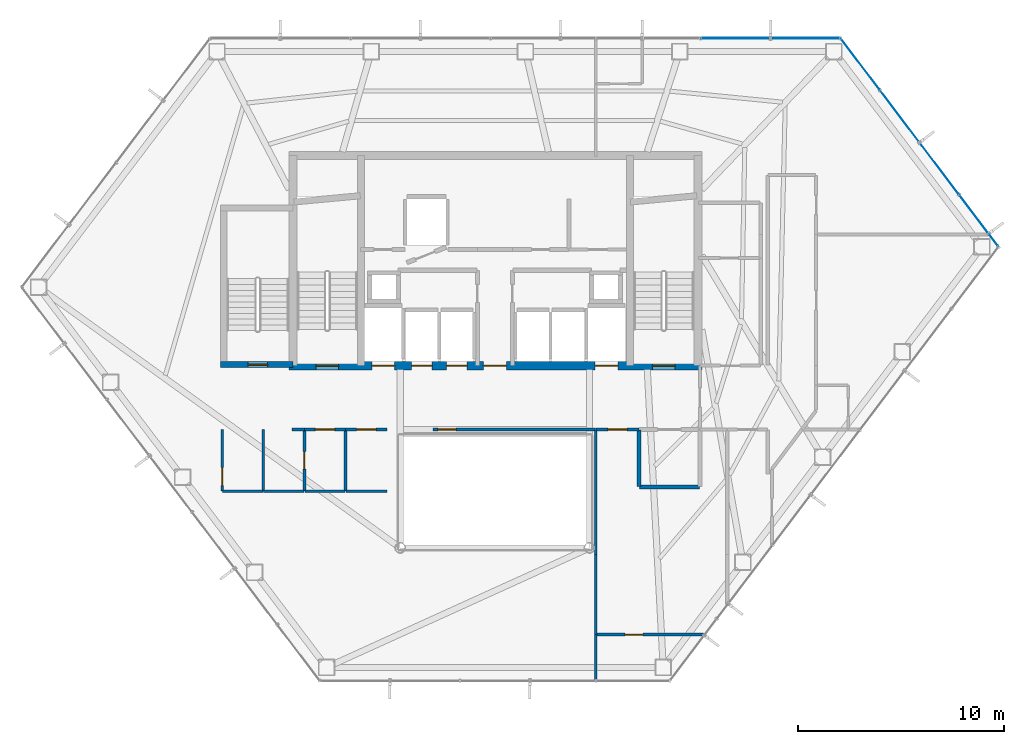
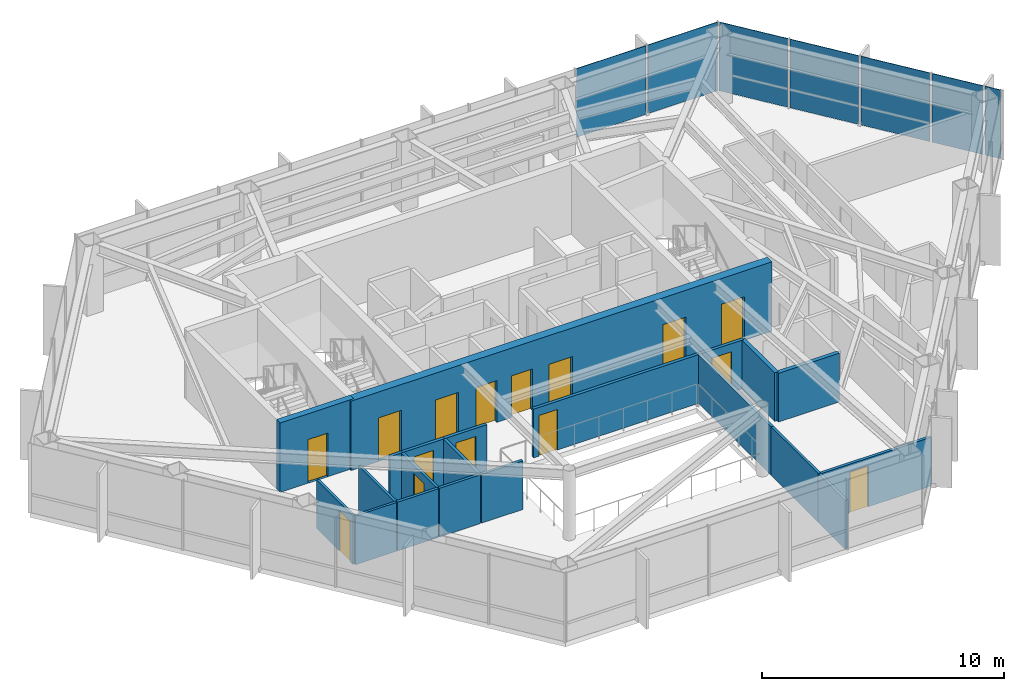
# One storey, part 25 of 29: 21 walls, 15 doors, 7 plates, 15 openings, 2 elements without a shape of their own.
"""IFC4 building model written with IfcOpenShell, lengths in metres."""

import ifcopenshell
import ifcopenshell.guid

model = None  # the IFC model being written
_history = None  # IfcOwnerHistory: only IFC2X3 demands one
_inside = {}  # id of a spatial element -> (the spatial element, [elements in it])
_under = {}  # id of a project, library or spatial element -> (it, [spatial elements below it])
_declared = {}  # id of a project -> (the project, [libraries it declares])
_typed = {}  # id of a type object -> (the type object, [elements of that type])
_made_of = {}  # id of a material, layer set ... -> (it, [elements and type objects made of it])


def new_model(schema):
    """Start an empty IFC model of exactly this schema.

    Asked for "IFC4X3", IfcOpenShell would pick the latest addendum, in which some entities
    have other attributes; the version numbers below select the first issue.
    IFC2X3 requires an IfcOwnerHistory on every rooted entity: one is made here for all.
    """
    global model, _history
    if schema == "IFC4X3":
        model = ifcopenshell.file(schema_version=(4, 3, 0, 0))
    else:
        model = ifcopenshell.file(schema=schema)
    _inside.clear()
    _under.clear()
    _declared.clear()
    _typed.clear()
    _made_of.clear()
    _history = None
    if model.schema == "IFC2X3":
        org = make("IfcOrganization", Name="unknown")
        user = make(
            "IfcPersonAndOrganization",
            ThePerson=make("IfcPerson", FamilyName="unknown"),
            TheOrganization=org,
        )
        app = make(
            "IfcApplication",
            ApplicationDeveloper=org,
            Version="unknown",
            ApplicationFullName="unknown",
            ApplicationIdentifier="unknown",
        )
        _history = make(
            "IfcOwnerHistory",
            OwningUser=user,
            OwningApplication=app,
            ChangeAction="ADDED",
            CreationDate=0,
        )
    return model


def make(cls, **values):
    """One entity of the class cls with the attributes given. An attribute that is None is left unset."""
    return model.create_entity(
        cls, **{name: value for name, value in values.items() if value is not None}
    )


def rooted(cls, **values):
    """An entity with a GlobalId (a new one), such as an element, a storey or a relation."""
    return make(cls, GlobalId=ifcopenshell.guid.new(), OwnerHistory=_history, **values)


def si_unit(unit_type, name, prefix=None):
    """IfcSIUnit, for example si_unit("LENGTHUNIT", "METRE", prefix="MILLI")."""
    return make("IfcSIUnit", UnitType=unit_type, Prefix=prefix, Name=name)


def assignment(units):
    """IfcUnitAssignment: the units of a project."""
    return None if units is None else make("IfcUnitAssignment", Units=units)


def point(xyz):
    """IfcCartesianPoint."""
    return None if xyz is None else make("IfcCartesianPoint", Coordinates=xyz)


def direction(xyz):
    """IfcDirection."""
    return None if xyz is None else make("IfcDirection", DirectionRatios=xyz)


def frame(location, z_axis=None, x_axis=None):
    """IfcAxis2Placement3D, a coordinate frame: its origin and axes. An axis left out is left unset."""
    return make(
        "IfcAxis2Placement3D",
        Location=point(location),
        Axis=direction(z_axis),
        RefDirection=direction(x_axis),
    )


def frame_2d(location, x_axis=None):
    """IfcAxis2Placement2D, a coordinate frame in the plane: its origin and x axis."""
    return make(
        "IfcAxis2Placement2D", Location=point(location), RefDirection=direction(x_axis)
    )


def origin():
    """The frame at (0, 0, 0) with its axes left unset."""
    return frame((0.0, 0.0, 0.0))


def origin_2d():
    """The frame at (0, 0) in the plane with its x axis left unset."""
    return frame_2d((0.0, 0.0))


def place(relative_to, where):
    """IfcLocalPlacement: puts the frame where relative to a parent placement (None: the world)."""
    return make(
        "IfcLocalPlacement", PlacementRelTo=relative_to, RelativePlacement=where
    )


def context(
    kind, dimensions, precision=None, world=None, true_north=None, identifier=None
):
    """IfcGeometricRepresentationContext, for example the 3D "Model" context."""
    return make(
        "IfcGeometricRepresentationContext",
        ContextIdentifier=identifier,
        ContextType=kind,
        CoordinateSpaceDimension=dimensions,
        Precision=precision,
        WorldCoordinateSystem=world,
        TrueNorth=true_north,
    )


def subcontext(parent, identifier, kind, view, scale=None):
    """IfcGeometricRepresentationSubContext, for example "Body" below "Model"."""
    return make(
        "IfcGeometricRepresentationSubContext",
        ContextIdentifier=identifier,
        ContextType=kind,
        ParentContext=parent,
        TargetScale=scale,
        TargetView=view,
    )


def project(units=None, contexts=None):
    """IfcProject with its units and contexts."""
    return rooted(
        "IfcProject",
        Name="project",
        RepresentationContexts=contexts,
        UnitsInContext=assignment(units),
    )


def spatial(cls, under=None, at=None, **own):
    """A site, building, storey or space (cls), placed at a placement, below another one or the project."""
    s = rooted(cls, ObjectPlacement=at, **own)
    if under is not None:
        _under.setdefault(under.id(), (under, []))[1].append(s)
    return s


def profile(cls, at=None, kind="AREA", **sizes):
    """A parametric profile (cls). Its sizes go by their IFC names, for example OverallWidth=200.0."""
    return make(cls, ProfileType=kind, Position=at, **sizes)


def rectangle(**sizes):
    """IfcRectangleProfileDef."""
    return profile("IfcRectangleProfileDef", **sizes)


def extrude(swept, where, along, depth):
    """IfcExtrudedAreaSolid: the profile swept, set in the frame where, extruded along a direction by depth."""
    return make(
        "IfcExtrudedAreaSolid",
        SweptArea=swept,
        Position=where,
        ExtrudedDirection=direction(along),
        Depth=depth,
    )


def shape(context_of_items, identifier, shape_type, items):
    """IfcShapeRepresentation: the items that make up one representation, for example the "Body"."""
    return make(
        "IfcShapeRepresentation",
        ContextOfItems=context_of_items,
        RepresentationIdentifier=identifier,
        RepresentationType=shape_type,
        Items=items,
    )


def material(Name=None, Category=None):
    """IfcMaterial."""
    return make("IfcMaterial", Name=Name, Category=Category)


def layer(
    of_material, thickness, ventilated=None, Name=None, Category=None, Priority=None
):
    """IfcMaterialLayer: one layer of a wall or slab, of a material (None: an air gap)."""
    return make(
        "IfcMaterialLayer",
        Material=of_material,
        LayerThickness=thickness,
        IsVentilated=ventilated,
        Name=Name,
        Category=Category,
        Priority=Priority,
    )


def layer_set(layers, Name=None):
    """IfcMaterialLayerSet."""
    return make("IfcMaterialLayerSet", MaterialLayers=layers, LayerSetName=Name)


def made_of(thing, what):
    """Note that an element or type object is made of a material, layer set ...; save() writes the relation."""
    if what is not None:
        _made_of.setdefault(what.id(), (what, []))[1].append(thing)
    return thing


def type_object(cls, material=None, **own):
    """A type object (cls), such as IfcWallType, which elements share."""
    return made_of(rooted(cls, **own), material)


def element(
    cls,
    number,
    at=None,
    inside=None,
    cuts=None,
    type_object=None,
    material=None,
    context=None,
    identifier="Body",
    shape_type=None,
    held_by="IfcProductDefinitionShape",
    body=None,
    shapes=None,
    **own,
):
    """One element of the class cls, such as IfcWall. Its Tag is "e" and its number.

    at: its placement. inside: the storey or other place that contains it. cuts: it is an
    opening in that element (IfcRelVoidsElement). A single representation is given by context,
    identifier, shape_type and body (its items); several are given by shapes. held_by: the class
    of the entity that holds the representations. save() writes the other relations.
    """
    e = rooted(cls, Tag="e%d" % number, ObjectPlacement=at, **own)
    if body is not None:
        shapes = [shape(context, identifier, shape_type, body)]
    if shapes is not None:
        e.Representation = make(held_by, Representations=shapes)
    if inside is not None:
        _inside.setdefault(inside.id(), (inside, []))[1].append(e)
    if cuts is not None:
        rooted(
            "IfcRelVoidsElement", RelatingBuildingElement=cuts, RelatedOpeningElement=e
        )
    if type_object is not None:
        _typed.setdefault(type_object.id(), (type_object, []))[1].append(e)
    return made_of(e, material)


def fill(opening, filler):
    """IfcRelFillsElement: the door or window that sits in an opening."""
    return rooted(
        "IfcRelFillsElement",
        RelatingOpeningElement=opening,
        RelatedBuildingElement=filler,
    )


def aggregate(whole, parts):
    """IfcRelAggregates: a whole, such as a stair, and the parts it consists of."""
    return rooted("IfcRelAggregates", RelatingObject=whole, RelatedObjects=parts)


def save(model, path):
    """Write the relations noted so far, then the file.

    IfcRelAggregates (storeys below a building ...), IfcRelContainedInSpatialStructure (elements
    in a storey), IfcRelDefinesByType, IfcRelAssociatesMaterial and IfcRelDeclares: one each for
    every whole, place, type object, material and project.
    """
    for whole, parts in _under.values():
        aggregate(whole, parts)
    for where, things in _inside.values():
        rooted(
            "IfcRelContainedInSpatialStructure",
            RelatedElements=things,
            RelatingStructure=where,
        )
    for kind, things in _typed.values():
        rooted("IfcRelDefinesByType", RelatedObjects=things, RelatingType=kind)
    for what, things in _made_of.values():
        rooted("IfcRelAssociatesMaterial", RelatedObjects=things, RelatingMaterial=what)
    for by, libraries in _declared.values():
        rooted("IfcRelDeclares", RelatingContext=by, RelatedDefinitions=libraries)
    model.write(path)


model = new_model("IFC4")

# Units and contexts
model_context = context("Model", 3, precision=1e-05, world=origin(), true_north=direction((0.0, 1.0)))
body_context = subcontext(model_context, "Body", "Model", "MODEL_VIEW")
ifc_project = project(units=[si_unit("LENGTHUNIT", "METRE"), si_unit("AREAUNIT", "SQUARE_METRE"), si_unit("VOLUMEUNIT", "CUBIC_METRE"), si_unit("PLANEANGLEUNIT", "RADIAN"), si_unit("MASSUNIT", "GRAM", prefix="KILO")], contexts=[model_context])

# Site, building, storey
site_placement = place(None, origin())
site = spatial("IfcSite", under=ifc_project, at=site_placement, CompositionType="ELEMENT")
building_placement = place(site_placement, origin())
building = spatial("IfcBuilding", under=site, at=building_placement, Name="Zarrinselat Tower", CompositionType="ELEMENT")
storey_placement = place(building_placement, frame((0.0, 0.0, 138.3798828125)))
storey = spatial("IfcBuildingStorey", under=building, at=storey_placement, Name="L33", CompositionType="ELEMENT", Elevation=138.3798828125)

# Curtain wall, plates
ifc_material_1 = material(Name="Extruded Aluminium Alloy EN AW-6063 T6", Category="aluminium")
ifc_layer_1 = layer(ifc_material_1, 0.175048828125)
ifc_layer_set_1 = layer_set([ifc_layer_1], Name="Extruded Aluminium Alloy EN AW-6063 T6")
curtain_wall_type = type_object("IfcCurtainWallType", Name="CWS-HTL", PredefinedType="NOTDEFINED", material=ifc_layer_set_1)
curtain_wall_1_placement = place(storey_placement, origin())
curtain_wall_1 = element("IfcCurtainWall", 1, at=curtain_wall_1_placement, inside=storey, type_object=curtain_wall_type, Name="L33 Unitised Curtain Wall CW-L33-E01", PredefinedType="NOTDEFINED")
ifc_material_2 = material(Name="Double Low-E Laminated Solar Glass", Category="glass")
ifc_layer_2 = layer(ifc_material_2, 0.028076171875)
ifc_layer_set_2 = layer_set([ifc_layer_2], Name="Double Low-E Laminated Solar Glass")
plate_type = type_object("IfcPlateType", Name="PLT-CW-GL28", PredefinedType="CURTAIN_PANEL", material=ifc_layer_set_2)
plate_1_placement = place(storey_placement, frame((53.487548828125, 49.14990234375, 0.02001953125), z_axis=(0.0, 0.0, 1.0), x_axis=(-1.0, 0.0, 0.0)))
plate_1 = element("IfcPlate", 2, at=plate_1_placement, type_object=plate_type, Name="CW-L33-E01 Vision Glass Panel 1", PredefinedType="CURTAIN_PANEL", context=body_context, shape_type="SweptSolid", body=[
    extrude(rectangle(XDim=3.30078125, YDim=0.028076171875, at=origin_2d()), origin(), (0.0, 0.0, 1.0), 3.4599609375),
])
plate_2_placement = place(storey_placement, frame((50.0869140625, 49.14990234375, 0.02001953125), z_axis=(0.0, 0.0, 1.0), x_axis=(-1.0, 0.0, 0.0)))
plate_2 = element("IfcPlate", 3, at=plate_2_placement, type_object=plate_type, Name="CW-L33-E01 Vision Glass Panel 2", PredefinedType="CURTAIN_PANEL", context=body_context, shape_type="SweptSolid", body=[
    extrude(rectangle(XDim=3.30078125, YDim=0.028076171875, at=origin_2d()), origin(), (0.0, 0.0, 1.0), 3.4599609375),
])
aggregate(curtain_wall_1, [plate_1, plate_2])

curtain_wall_2_placement = place(storey_placement, origin())
curtain_wall_2 = element("IfcCurtainWall", 4, at=curtain_wall_2_placement, inside=storey, type_object=curtain_wall_type, Name="L33 Unitised Curtain Wall CW-L33-E06", PredefinedType="NOTDEFINED")
plate_3_placement = place(storey_placement, frame((62.62109375, 39.338134765625, 0.02001953125), z_axis=(0.0, 0.0, 1.0), x_axis=(-0.60385935447, 0.79709088567, 0.0)))
plate_3 = element("IfcPlate", 5, at=plate_3_placement, type_object=plate_type, Name="CW-L33-E06 Vision Glass Panel 1", PredefinedType="CURTAIN_PANEL", context=body_context, shape_type="SweptSolid", body=[
    extrude(rectangle(XDim=0.697998046875, YDim=0.028076171875, at=origin_2d()), origin(), (0.0, 0.0, 1.0), 3.4599609375),
])
plate_4_placement = place(storey_placement, frame((61.662109375, 40.6044921875, 0.02001953125), z_axis=(0.0, 0.0, 1.0), x_axis=(-0.60385935447, 0.79709088567, 0.0)))
plate_4 = element("IfcPlate", 6, at=plate_4_placement, type_object=plate_type, Name="CW-L33-E06 Vision Glass Panel 2", PredefinedType="CURTAIN_PANEL", context=body_context, shape_type="SweptSolid", body=[
    extrude(rectangle(XDim=2.279052734375, YDim=0.028076171875, at=origin_2d()), origin(), (0.0, 0.0, 1.0), 3.4599609375),
])
plate_5_placement = place(storey_placement, frame((59.984375, 42.81884765625, 0.02001953125), z_axis=(0.0, 0.0, 1.0), x_axis=(-0.60385935447, 0.79709088567, 0.0)))
plate_5 = element("IfcPlate", 7, at=plate_5_placement, type_object=plate_type, Name="CW-L33-E06 Vision Glass Panel 3", PredefinedType="CURTAIN_PANEL", context=body_context, shape_type="SweptSolid", body=[
    extrude(rectangle(XDim=3.0771484375, YDim=0.028076171875, at=origin_2d()), origin(), (0.0, 0.0, 1.0), 3.4599609375),
])
plate_6_placement = place(storey_placement, frame((58.06591796875, 45.351318359375, 0.02001953125), z_axis=(0.0, 0.0, 1.0), x_axis=(-0.60385935447, 0.79709088567, 0.0)))
plate_6 = element("IfcPlate", 8, at=plate_6_placement, type_object=plate_type, Name="CW-L33-E06 Vision Glass Panel 4", PredefinedType="CURTAIN_PANEL", context=body_context, shape_type="SweptSolid", body=[
    extrude(rectangle(XDim=3.0771484375, YDim=0.028076171875, at=origin_2d()), origin(), (0.0, 0.0, 1.0), 3.4599609375),
])
plate_7_placement = place(storey_placement, frame((56.147216796875, 47.8837890625, 0.02001953125), z_axis=(0.0, 0.0, 1.0), x_axis=(-0.60385935447, 0.79709088567, 0.0)))
plate_7 = element("IfcPlate", 9, at=plate_7_placement, type_object=plate_type, Name="CW-L33-E06 Vision Glass Panel 5", PredefinedType="CURTAIN_PANEL", context=body_context, shape_type="SweptSolid", body=[
    extrude(rectangle(XDim=3.0771484375, YDim=0.028076171875, at=origin_2d()), origin(), (0.0, 0.0, 1.0), 3.4599609375),
])
aggregate(curtain_wall_2, [plate_3, plate_4, plate_5, plate_6, plate_7])

# Walls
ifc_material_3 = material(Name="Concrete C40/50", Category="concrete")
ifc_layer_3 = layer(ifc_material_3, 0.18994140625)
ifc_layer_set_3 = layer_set([ifc_layer_3], Name="Concrete C40/50")
wall_type_1 = type_object("IfcWallType", Name="WAL-PART-EI120", PredefinedType="PARTITIONING", material=ifc_layer_set_3)
wall_1_placement = place(storey_placement, frame((45.419921875, 27.35009765625, 0.0), z_axis=(0.0, 0.0, 1.0), x_axis=(1.0, 0.0, 0.0)))
element("IfcWall", 10, at=wall_1_placement, inside=storey, type_object=wall_type_1, Name="L33 Partition Wall 19", PredefinedType="PARTITIONING", context=body_context, shape_type="SweptSolid", body=[
    extrude(rectangle(XDim=2.91015625, YDim=0.18994140625, at=frame_2d((1.455078125, 0.0))), origin(), (0.0, 0.0, 1.0), 2.45703125),
])
wall_2_placement = place(storey_placement, frame((45.39990234375, 27.3701171875, 0.0), z_axis=(0.0, 0.0, 1.0), x_axis=(0.0, 1.0, 0.0)))
element("IfcWall", 11, at=wall_2_placement, inside=storey, type_object=wall_type_1, Name="L33 Partition Wall 20", PredefinedType="PARTITIONING", context=body_context, shape_type="SweptSolid", body=[
    extrude(rectangle(XDim=2.759765625, YDim=0.18994140625, at=frame_2d((1.3798828125, 0.0))), origin(), (0.0, 0.0, 1.0), 2.45703125),
])
ifc_material_4 = material(Name="Fire-Rated Gypsum Board Partition", Category="gypsum")
ifc_layer_4 = layer(ifc_material_4, 0.14990234375)
ifc_layer_set_4 = layer_set([ifc_layer_4], Name="Fire-Rated Gypsum Board Partition")
wall_type_2 = type_object("IfcWallType", Name="WAL-PART-EI60", PredefinedType="PARTITIONING", material=ifc_layer_set_4)
wall_3_placement = place(storey_placement, frame((28.550048828125, 30.14990234375, 0.0), z_axis=(0.0, 0.0, 1.0), x_axis=(1.0, 0.0, 0.0)))
element("IfcWall", 12, at=wall_3_placement, inside=storey, type_object=wall_type_2, Name="L33 Partition Wall 14", PredefinedType="PARTITIONING", context=body_context, shape_type="SweptSolid", body=[
    extrude(rectangle(XDim=0.594970703125, YDim=0.14990234375, at=frame_2d((0.29736328125, 0.0))), origin(), (0.0, 0.0, 1.0), 2.45703125),
])

# Wall, opening, door
wall_4_placement = place(storey_placement, frame((29.155029296875, 30.14990234375, 0.0), z_axis=(0.0, 0.0, 1.0), x_axis=(1.0, 0.0, 0.0)))
wall_4 = element("IfcWall", 13, at=wall_4_placement, inside=storey, type_object=wall_type_2, Name="L33 Partition Wall 15", PredefinedType="PARTITIONING", context=body_context, shape_type="SweptSolid", body=[
    extrude(rectangle(XDim=1.989990234375, YDim=0.14990234375, at=frame_2d((0.9951171875, 0.0))), origin(), (0.0, 0.0, 1.0), 2.45703125),
])
opening_1_placement = place(wall_4_placement, frame((0.52490234375, 0.0, 0.0)))
opening_1 = element("IfcOpeningElement", 14, at=opening_1_placement, cuts=wall_4, Name="Opening ID-04", PredefinedType="OPENING", context=body_context, shape_type="SweptSolid", body=[
    extrude(rectangle(XDim=0.93994140625, YDim=2.050048828125, at=frame_2d((0.469970703125, 1.02490234375))), frame((0.0, 0.0849609375, 0.0), z_axis=(0.0, -1.0, 0.0), x_axis=(1.0, 0.0, 0.0)), (0.0, 0.0, 1.0), 0.169921875),
])
ifc_material_5 = material(Name="Fire-Rated Gypsum Board Partition")
door_type_1 = type_object("IfcDoorType", Name="DR-INT-FD30-ENT", OperationType="NOTDEFINED", PredefinedType="DOOR", material=ifc_material_5)
door_1_placement = place(opening_1_placement, origin())
door_1 = element("IfcDoor", 15, at=door_1_placement, inside=storey, type_object=door_type_1, Name="L33 Interior Door P15", OperationType="SINGLE_SWING_RIGHT", OverallHeight=2.050048828125, OverallWidth=0.93994140625, PredefinedType="DOOR", context=body_context, shape_type="SweptSolid", body=[
    extrude(rectangle(XDim=0.93994140625, YDim=2.050048828125, at=frame_2d((0.469970703125, 1.02490234375))), frame((0.0, 0.02490234375, 0.0), z_axis=(0.0, -1.0, 0.0), x_axis=(1.0, 0.0, 0.0)), (0.0, 0.0, 1.0), 0.050048828125),
])
fill(opening_1, door_1)

wall_5_placement = place(storey_placement, frame((31.155029296875, 30.14990234375, 0.0), z_axis=(0.0, 0.0, 1.0), x_axis=(1.0, 0.0, 0.0)))
wall_5 = element("IfcWall", 16, at=wall_5_placement, inside=storey, type_object=wall_type_2, Name="L33 Partition Wall 16", PredefinedType="PARTITIONING", context=body_context, shape_type="SweptSolid", body=[
    extrude(rectangle(XDim=2.010009765625, YDim=0.14990234375, at=frame_2d((1.0048828125, 0.0))), origin(), (0.0, 0.0, 1.0), 2.45703125),
])
opening_2_placement = place(wall_5_placement, frame((0.534912109375, 0.0, 0.0)))
opening_2 = element("IfcOpeningElement", 17, at=opening_2_placement, cuts=wall_5, Name="Opening ID-04", PredefinedType="OPENING", context=body_context, shape_type="SweptSolid", body=[
    extrude(rectangle(XDim=0.93994140625, YDim=2.050048828125, at=frame_2d((0.469970703125, 1.02490234375))), frame((0.0, 0.0849609375, 0.0), z_axis=(0.0, -1.0, 0.0), x_axis=(1.0, 0.0, 0.0)), (0.0, 0.0, 1.0), 0.169921875),
])
door_2_placement = place(opening_2_placement, origin())
door_2 = element("IfcDoor", 18, at=door_2_placement, inside=storey, type_object=door_type_1, Name="L33 Interior Door P16", OperationType="SINGLE_SWING_LEFT", OverallHeight=2.050048828125, OverallWidth=0.93994140625, PredefinedType="DOOR", context=body_context, shape_type="SweptSolid", body=[
    extrude(rectangle(XDim=0.93994140625, YDim=2.050048828125, at=frame_2d((0.469970703125, 1.02490234375))), frame((0.0, 0.02490234375, 0.0), z_axis=(0.0, -1.0, 0.0), x_axis=(1.0, 0.0, 0.0)), (0.0, 0.0, 1.0), 0.050048828125),
])
fill(opening_2, door_2)

wall_6_placement = place(storey_placement, frame((35.385009765625, 30.14990234375, 0.0), z_axis=(0.0, 0.0, 1.0), x_axis=(1.0, 0.0, 0.0)))
wall_6 = element("IfcWall", 19, at=wall_6_placement, inside=storey, type_object=wall_type_2, Name="L33 Partition Wall 17", PredefinedType="PARTITIONING", context=body_context, shape_type="SweptSolid", body=[
    extrude(rectangle(XDim=7.909912109375, YDim=0.14990234375, at=frame_2d((3.955078125, 0.0))), origin(), (0.0, 0.0, 1.0), 2.45703125),
])
opening_3_placement = place(wall_6_placement, frame((0.25, 0.0, 0.0)))
opening_3 = element("IfcOpeningElement", 20, at=opening_3_placement, cuts=wall_6, Name="Opening ID-03", PredefinedType="OPENING", context=body_context, shape_type="SweptSolid", body=[
    extrude(rectangle(XDim=0.8798828125, YDim=2.050048828125, at=frame_2d((0.43994140625, 1.02490234375))), frame((0.0, 0.0849609375, 0.0), z_axis=(0.0, -1.0, 0.0), x_axis=(1.0, 0.0, 0.0)), (0.0, 0.0, 1.0), 0.169921875),
])
ifc_material_6 = material(Name="Steel S355J2", Category="steel")
door_type_2 = type_object("IfcDoorType", Name="DR-INT-FD60-S", OperationType="NOTDEFINED", PredefinedType="DOOR", material=ifc_material_6)
door_3_placement = place(opening_3_placement, origin())
door_3 = element("IfcDoor", 21, at=door_3_placement, inside=storey, type_object=door_type_2, Name="L33 Interior Door P17", OperationType="SINGLE_SWING_RIGHT", OverallHeight=2.050048828125, OverallWidth=0.8798828125, PredefinedType="DOOR", context=body_context, shape_type="SweptSolid", body=[
    extrude(rectangle(XDim=0.8798828125, YDim=2.050048828125, at=frame_2d((0.43994140625, 1.02490234375))), frame((0.0, 0.02490234375, 0.0), z_axis=(0.0, -1.0, 0.0), x_axis=(1.0, 0.0, 0.0)), (0.0, 0.0, 1.0), 0.050048828125),
])
fill(opening_3, door_3)

wall_7_placement = place(storey_placement, frame((43.304931640625, 30.14990234375, 0.0), z_axis=(0.0, 0.0, 1.0), x_axis=(1.0, 0.0, 0.0)))
wall_7 = element("IfcWall", 22, at=wall_7_placement, inside=storey, type_object=wall_type_2, Name="L33 Partition Wall 18", PredefinedType="PARTITIONING", context=body_context, shape_type="SweptSolid", body=[
    extrude(rectangle(XDim=2.090087890625, YDim=0.14990234375, at=frame_2d((1.044921875, 0.0))), origin(), (0.0, 0.0, 1.0), 2.45703125),
])
opening_4_placement = place(wall_7_placement, frame((0.574951171875, 0.0, 0.0)))
opening_4 = element("IfcOpeningElement", 23, at=opening_4_placement, cuts=wall_7, Name="Opening ID-04", PredefinedType="OPENING", context=body_context, shape_type="SweptSolid", body=[
    extrude(rectangle(XDim=0.93994140625, YDim=2.050048828125, at=frame_2d((0.469970703125, 1.02490234375))), frame((0.0, 0.0849609375, 0.0), z_axis=(0.0, -1.0, 0.0), x_axis=(1.0, 0.0, 0.0)), (0.0, 0.0, 1.0), 0.169921875),
])
door_4_placement = place(opening_4_placement, origin())
door_4 = element("IfcDoor", 24, at=door_4_placement, inside=storey, type_object=door_type_1, Name="L33 Interior Door P18", OperationType="SINGLE_SWING_LEFT", OverallHeight=2.050048828125, OverallWidth=0.93994140625, PredefinedType="DOOR", context=body_context, shape_type="SweptSolid", body=[
    extrude(rectangle(XDim=0.93994140625, YDim=2.050048828125, at=frame_2d((0.469970703125, 1.02490234375))), frame((0.0, 0.02490234375, 0.0), z_axis=(0.0, -1.0, 0.0), x_axis=(1.0, 0.0, 0.0)), (0.0, 0.0, 1.0), 0.050048828125),
])
fill(opening_4, door_4)

# Wall
ifc_material_7 = material(Name="Fire-Rated Gypsum Board Partition", Category="gypsum")
ifc_layer_5 = layer(ifc_material_7, 0.1201171875)
ifc_layer_set_5 = layer_set([ifc_layer_5], Name="Fire-Rated Gypsum Board Partition")
wall_type_3 = type_object("IfcWallType", Name="WAL-PART-STD", PredefinedType="PARTITIONING", material=ifc_layer_set_5)
wall_8_placement = place(storey_placement, frame((25.169921875, 27.14990234375, 0.0), z_axis=(0.0, 0.0, 1.0), x_axis=(1.0, 0.0, 0.0)))
element("IfcWall", 25, at=wall_8_placement, inside=storey, type_object=wall_type_3, Name="L33 Partition Wall 35", PredefinedType="PARTITIONING", context=body_context, shape_type="SweptSolid", body=[
    extrude(rectangle(XDim=1.9599609375, YDim=0.1201171875, at=frame_2d((0.97998046875, 0.0))), origin(), (0.0, 0.0, 1.0), 2.45703125),
])

# Wall, opening, door
wall_9_placement = place(storey_placement, frame((25.14990234375, 27.169921875, 0.0), z_axis=(0.0, 0.0, 1.0), x_axis=(0.0, 1.0, 0.0)))
wall_9 = element("IfcWall", 26, at=wall_9_placement, inside=storey, type_object=wall_type_3, Name="L33 Partition Wall 36", PredefinedType="PARTITIONING", context=body_context, shape_type="SweptSolid", body=[
    extrude(rectangle(XDim=2.97998046875, YDim=0.1201171875, at=frame_2d((1.489990234375, 0.0))), origin(), (0.0, 0.0, 1.0), 2.45703125),
])
opening_5_placement = place(wall_9_placement, frame((0.25, 0.0, 0.0)))
opening_5 = element("IfcOpeningElement", 27, at=opening_5_placement, cuts=wall_9, Name="Opening ID-03", PredefinedType="OPENING", context=body_context, shape_type="SweptSolid", body=[
    extrude(rectangle(XDim=0.8798828125, YDim=2.050048828125, at=frame_2d((0.43994140625, 1.02490234375))), frame((0.0, 0.070068359375, 0.0), z_axis=(0.0, -1.0, 0.0), x_axis=(1.0, 0.0, 0.0)), (0.0, 0.0, 1.0), 0.14013671875),
])
door_5_placement = place(opening_5_placement, origin())
door_5 = element("IfcDoor", 28, at=door_5_placement, inside=storey, type_object=door_type_2, Name="L33 Interior Door P36", OperationType="SINGLE_SWING_RIGHT", OverallHeight=2.050048828125, OverallWidth=0.8798828125, PredefinedType="DOOR", context=body_context, shape_type="SweptSolid", body=[
    extrude(rectangle(XDim=0.8798828125, YDim=2.050048828125, at=frame_2d((0.43994140625, 1.02490234375))), frame((0.0, 0.02490234375, 0.0), z_axis=(0.0, -1.0, 0.0), x_axis=(1.0, 0.0, 0.0)), (0.0, 0.0, 1.0), 0.050048828125),
])
fill(opening_5, door_5)

# Walls
wall_10_placement = place(storey_placement, frame((43.300048828125, 24.077880859375, 0.0), z_axis=(0.0, 0.0, 1.0), x_axis=(0.0, 1.0, 0.0)))
element("IfcWall", 29, at=wall_10_placement, inside=storey, type_object=wall_type_3, Name="L33 Partition Wall 42", PredefinedType="PARTITIONING", context=body_context, shape_type="SweptSolid", body=[
    extrude(rectangle(XDim=6.052001953125, YDim=0.1201171875, at=frame_2d((3.02587890625, 0.0))), origin(), (0.0, 0.0, 1.0), 2.45703125),
])
wall_11_placement = place(storey_placement, frame((43.300048828125, 20.19677734375, 0.0), z_axis=(0.0, 0.0, 1.0), x_axis=(0.0, 1.0, 0.0)))
element("IfcWall", 30, at=wall_11_placement, inside=storey, type_object=wall_type_3, Name="L33 Partition Wall 43", PredefinedType="PARTITIONING", context=body_context, shape_type="SweptSolid", body=[
    extrude(rectangle(XDim=3.881103515625, YDim=0.1201171875, at=frame_2d((1.9404296875, 0.0))), origin(), (0.0, 0.0, 1.0), 2.45703125),
])
ifc_material_8 = material(Name="Fire-Rated Gypsum Board Partition", Category="gypsum")
ifc_layer_6 = layer(ifc_material_8, 0.135009765625)
ifc_layer_set_6 = layer_set([ifc_layer_6], Name="Fire-Rated Gypsum Board Partition")
wall_type_4 = type_object("IfcWallType", Name="WAL-PART-WET", PredefinedType="PARTITIONING", material=ifc_layer_set_6)
wall_12_placement = place(storey_placement, frame((27.14990234375, 27.169921875, 0.0), z_axis=(0.0, 0.0, 1.0), x_axis=(0.0, 1.0, 0.0)))
element("IfcWall", 31, at=wall_12_placement, inside=storey, type_object=wall_type_4, Name="L33 Partition Wall 34", PredefinedType="PARTITIONING", context=body_context, shape_type="SweptSolid", body=[
    extrude(rectangle(XDim=2.97998046875, YDim=0.135009765625, at=frame_2d((1.489990234375, 0.0))), origin(), (0.0, 0.0, 1.0), 2.45703125),
])

# Wall, opening, door
wall_13_placement = place(storey_placement, frame((29.14990234375, 27.169921875, 0.0), z_axis=(0.0, 0.0, 1.0), x_axis=(0.0, 1.0, 0.0)))
wall_13 = element("IfcWall", 32, at=wall_13_placement, inside=storey, type_object=wall_type_4, Name="L33 Partition Wall 37", PredefinedType="PARTITIONING", context=body_context, shape_type="SweptSolid", body=[
    extrude(rectangle(XDim=2.9599609375, YDim=0.135009765625, at=frame_2d((1.47998046875, 0.0))), origin(), (0.0, 0.0, 1.0), 2.45703125),
])
opening_6_placement = place(wall_13_placement, frame((1.050048828125, 0.0, 0.0)))
opening_6 = element("IfcOpeningElement", 33, at=opening_6_placement, cuts=wall_13, Name="Opening ID-06", PredefinedType="OPENING", context=body_context, shape_type="SweptSolid", body=[
    extrude(rectangle(XDim=0.860107421875, YDim=2.050048828125, at=frame_2d((0.43017578125, 1.02490234375))), frame((0.0, 0.077392578125, 0.0), z_axis=(0.0, -1.0, 0.0), x_axis=(1.0, 0.0, 0.0)), (0.0, 0.0, 1.0), 0.155029296875),
])
ifc_material_9 = material(Name="Extruded Aluminium Alloy EN AW-6063 T6", Category="aluminium")
door_type_3 = type_object("IfcDoorType", Name="DR-INT-WET-900", OperationType="NOTDEFINED", PredefinedType="DOOR", material=ifc_material_9)
door_6_placement = place(opening_6_placement, origin())
door_6 = element("IfcDoor", 34, at=door_6_placement, inside=storey, type_object=door_type_3, Name="L33 Interior Door P37", OperationType="SINGLE_SWING_LEFT", OverallHeight=2.050048828125, OverallWidth=0.860107421875, PredefinedType="DOOR", context=body_context, shape_type="SweptSolid", body=[
    extrude(rectangle(XDim=0.860107421875, YDim=2.050048828125, at=frame_2d((0.43017578125, 1.02490234375))), frame((0.0, 0.02490234375, 0.0), z_axis=(0.0, -1.0, 0.0), x_axis=(1.0, 0.0, 0.0)), (0.0, 0.0, 1.0), 0.050048828125),
])
fill(opening_6, door_6)

# Walls
wall_14_placement = place(storey_placement, frame((27.169921875, 27.14990234375, 0.0), z_axis=(0.0, 0.0, 1.0), x_axis=(1.0, 0.0, 0.0)))
element("IfcWall", 35, at=wall_14_placement, inside=storey, type_object=wall_type_4, Name="L33 Partition Wall 38", PredefinedType="PARTITIONING", context=body_context, shape_type="SweptSolid", body=[
    extrude(rectangle(XDim=1.9599609375, YDim=0.135009765625, at=frame_2d((0.97998046875, 0.0))), origin(), (0.0, 0.0, 1.0), 2.45703125),
])
wall_15_placement = place(storey_placement, frame((31.14990234375, 27.169921875, 0.0), z_axis=(0.0, 0.0, 1.0), x_axis=(0.0, 1.0, 0.0)))
element("IfcWall", 36, at=wall_15_placement, inside=storey, type_object=wall_type_4, Name="L33 Partition Wall 39", PredefinedType="PARTITIONING", context=body_context, shape_type="SweptSolid", body=[
    extrude(rectangle(XDim=2.9599609375, YDim=0.135009765625, at=frame_2d((1.47998046875, 0.0))), origin(), (0.0, 0.0, 1.0), 2.45703125),
])
wall_16_placement = place(storey_placement, frame((29.169921875, 27.14990234375, 0.0), z_axis=(0.0, 0.0, 1.0), x_axis=(1.0, 0.0, 0.0)))
element("IfcWall", 37, at=wall_16_placement, inside=storey, type_object=wall_type_4, Name="L33 Partition Wall 40", PredefinedType="PARTITIONING", context=body_context, shape_type="SweptSolid", body=[
    extrude(rectangle(XDim=1.9599609375, YDim=0.135009765625, at=frame_2d((0.97998046875, 0.0))), origin(), (0.0, 0.0, 1.0), 2.45703125),
])
wall_17_placement = place(storey_placement, frame((31.169921875, 27.14990234375, 0.0), z_axis=(0.0, 0.0, 1.0), x_axis=(1.0, 0.0, 0.0)))
element("IfcWall", 38, at=wall_17_placement, inside=storey, type_object=wall_type_4, Name="L33 Partition Wall 41", PredefinedType="PARTITIONING", context=body_context, shape_type="SweptSolid", body=[
    extrude(rectangle(XDim=1.97998046875, YDim=0.135009765625, at=frame_2d((0.989990234375, 0.0))), origin(), (0.0, 0.0, 1.0), 2.45703125),
])
wall_18_placement = place(storey_placement, frame((43.300048828125, 17.960693359375, 0.0), z_axis=(0.0, 0.0, 1.0), x_axis=(0.0, 1.0, 0.0)))
element("IfcWall", 39, at=wall_18_placement, inside=storey, type_object=wall_type_4, Name="L33 Partition Wall 44", PredefinedType="PARTITIONING", context=body_context, shape_type="SweptSolid", body=[
    extrude(rectangle(XDim=2.22607421875, YDim=0.135009765625, at=frame_2d((1.113037109375, 0.0))), origin(), (0.0, 0.0, 1.0), 2.45703125),
])

# Wall, opening, door
wall_19_placement = place(storey_placement, frame((43.320068359375, 20.19189453125, 0.0), z_axis=(0.0, 0.0, 1.0), x_axis=(1.0, 0.0, 0.0)))
wall_19 = element("IfcWall", 40, at=wall_19_placement, inside=storey, type_object=wall_type_4, Name="L33 Partition Wall 47", PredefinedType="PARTITIONING", context=body_context, shape_type="SweptSolid", body=[
    extrude(rectangle(XDim=5.263427734375, YDim=0.135009765625, at=frame_2d((2.6318359375, 0.0))), origin(), (0.0, 0.0, 1.0), 2.45703125),
])
opening_7_placement = place(wall_19_placement, frame((1.401611328125, 0.0, 0.0)))
opening_7 = element("IfcOpeningElement", 41, at=opening_7_placement, cuts=wall_19, Name="Opening ID-06", PredefinedType="OPENING", context=body_context, shape_type="SweptSolid", body=[
    extrude(rectangle(XDim=0.860107421875, YDim=2.050048828125, at=frame_2d((0.43017578125, 1.02490234375))), frame((0.0, 0.077392578125, 0.0), z_axis=(0.0, -1.0, 0.0), x_axis=(1.0, 0.0, 0.0)), (0.0, 0.0, 1.0), 0.155029296875),
])
door_7_placement = place(opening_7_placement, origin())
door_7 = element("IfcDoor", 42, at=door_7_placement, inside=storey, type_object=door_type_3, Name="L33 Interior Door P47", OperationType="SINGLE_SWING_RIGHT", OverallHeight=2.050048828125, OverallWidth=0.860107421875, PredefinedType="DOOR", context=body_context, shape_type="SweptSolid", body=[
    extrude(rectangle(XDim=0.860107421875, YDim=2.050048828125, at=frame_2d((0.43017578125, 1.02490234375))), frame((0.0, 0.02490234375, 0.0), z_axis=(0.0, -1.0, 0.0), x_axis=(1.0, 0.0, 0.0)), (0.0, 0.0, 1.0), 0.050048828125),
])
fill(opening_7, door_7)

ifc_material_10 = material(Name="Concrete C40/50", Category="concrete")
ifc_layer_7 = layer(ifc_material_10, 0.300048828125)
ifc_layer_set_7 = layer_set([ifc_layer_7], Name="Concrete C40/50")
wall_type_5 = type_object("IfcWallType", Name="WAL-SHEAR-300", PredefinedType="SHEAR", material=ifc_layer_set_7)
wall_20_placement = place(storey_placement, frame((25.080078125, 33.300048828125, 0.0), z_axis=(0.0, 0.0, 1.0), x_axis=(1.0, 0.0, 0.0)))
wall_20 = element("IfcWall", 43, at=wall_20_placement, inside=storey, type_object=wall_type_5, Name="L33 Stair 3 South Shear Wall", PredefinedType="SHEAR", context=body_context, shape_type="SweptSolid", body=[
    extrude(rectangle(XDim=3.52001953125, YDim=0.300048828125, at=frame_2d((1.760009765625, 0.0))), origin(), (0.0, 0.0, 1.0), 3.5),
])
opening_8_placement = place(wall_20_placement, frame((1.3349609375, 0.0, 0.0)))
opening_8 = element("IfcOpeningElement", 44, at=opening_8_placement, cuts=wall_20, Name="Opening SD-02", PredefinedType="OPENING", context=body_context, shape_type="SweptSolid", body=[
    extrude(rectangle(XDim=0.949951171875, YDim=2.199951171875, at=frame_2d((0.47509765625, 1.10009765625))), frame((0.0, 0.159912109375, 0.0), z_axis=(0.0, -1.0, 0.0), x_axis=(1.0, 0.0, 0.0)), (0.0, 0.0, 1.0), 0.320068359375),
])
ifc_material_11 = material(Name="Steel S355J2", Category="steel")
door_type_4 = type_object("IfcDoorType", Name="DR-STAIR-1050", OperationType="NOTDEFINED", PredefinedType="DOOR", material=ifc_material_11)
door_8_placement = place(opening_8_placement, origin())
door_8 = element("IfcDoor", 45, at=door_8_placement, inside=storey, type_object=door_type_4, Name="L33 Exit Stair 3 Fire Door", OperationType="SINGLE_SWING_LEFT", OverallHeight=2.199951171875, OverallWidth=0.949951171875, PredefinedType="DOOR", context=body_context, shape_type="SweptSolid", body=[
    extrude(rectangle(XDim=0.949951171875, YDim=2.199951171875, at=frame_2d((0.47509765625, 1.10009765625))), frame((0.0, 0.02490234375, 0.0), z_axis=(0.0, -1.0, 0.0), x_axis=(1.0, 0.0, 0.0)), (0.0, 0.0, 1.0), 0.050048828125),
])
fill(opening_8, door_8)

# Wall, openings, doors
ifc_material_12 = material(Name="Concrete C60/75", Category="concrete")
ifc_layer_8 = layer(ifc_material_12, 0.39990234375)
ifc_layer_set_8 = layer_set([ifc_layer_8], Name="Concrete C60/75")
wall_type_6 = type_object("IfcWallType", Name="WAL-SHEAR-400", PredefinedType="SHEAR", material=ifc_layer_set_8)
wall_21_placement = place(storey_placement, frame((28.39990234375, 33.25, 0.0), z_axis=(0.0, 0.0, 1.0), x_axis=(1.0, 0.0, 0.0)))
wall_21 = element("IfcWall", 46, at=wall_21_placement, inside=storey, type_object=wall_type_6, Name="L33 South Core Shear Wall", PredefinedType="SHEAR", context=body_context, shape_type="SweptSolid", body=[
    extrude(rectangle(XDim=20.06005859375, YDim=0.39990234375, at=frame_2d((10.030029296875, 0.0))), origin(), (0.0, 0.0, 1.0), 3.5),
])
opening_9_placement = place(wall_21_placement, frame((4.030029296875, 0.0, 0.0)))
opening_9 = element("IfcOpeningElement", 47, at=opening_9_placement, cuts=wall_21, Name="Opening LD-FFL1", PredefinedType="OPENING", context=body_context, shape_type="SweptSolid", body=[
    extrude(rectangle(XDim=1.10009765625, YDim=2.14990234375, at=frame_2d((0.550048828125, 1.074951171875))), frame((0.0, 0.2099609375, 0.0), z_axis=(0.0, -1.0, 0.0), x_axis=(1.0, 0.0, 0.0)), (0.0, 0.0, 1.0), 0.419921875),
])
opening_10_placement = place(wall_21_placement, frame((14.8701171875, 0.0, 0.0)))
opening_10 = element("IfcOpeningElement", 48, at=opening_10_placement, cuts=wall_21, Name="Opening LD-FFL2", PredefinedType="OPENING", context=body_context, shape_type="SweptSolid", body=[
    extrude(rectangle(XDim=1.10009765625, YDim=2.14990234375, at=frame_2d((0.550048828125, 1.074951171875))), frame((0.0, 0.2099609375, 0.0), z_axis=(0.0, -1.0, 0.0), x_axis=(1.0, 0.0, 0.0)), (0.0, 0.0, 1.0), 0.419921875),
])
opening_11_placement = place(wall_21_placement, frame((5.949951171875, 0.0, 0.0)))
opening_11 = element("IfcOpeningElement", 49, at=opening_11_placement, cuts=wall_21, Name="Opening LD-PL5", PredefinedType="OPENING", context=body_context, shape_type="SweptSolid", body=[
    extrude(rectangle(XDim=1.0, YDim=2.10009765625, at=frame_2d((0.5, 1.050048828125))), frame((0.0, 0.2099609375, 0.0), z_axis=(0.0, -1.0, 0.0), x_axis=(1.0, 0.0, 0.0)), (0.0, 0.0, 1.0), 0.419921875),
])
opening_12_placement = place(wall_21_placement, frame((7.64990234375, 0.0, 0.0)))
opening_12 = element("IfcOpeningElement", 50, at=opening_12_placement, cuts=wall_21, Name="Opening LD-PL6", PredefinedType="OPENING", context=body_context, shape_type="SweptSolid", body=[
    extrude(rectangle(XDim=1.0, YDim=2.10009765625, at=frame_2d((0.5, 1.050048828125))), frame((0.0, 0.2099609375, 0.0), z_axis=(0.0, -1.0, 0.0), x_axis=(1.0, 0.0, 0.0)), (0.0, 0.0, 1.0), 0.419921875),
])
opening_13_placement = place(wall_21_placement, frame((1.31005859375, 0.0, 0.0)))
opening_13 = element("IfcOpeningElement", 51, at=opening_13_placement, cuts=wall_21, Name="Opening SD-01", PredefinedType="OPENING", context=body_context, shape_type="SweptSolid", body=[
    extrude(rectangle(XDim=1.10009765625, YDim=2.199951171875, at=frame_2d((0.550048828125, 1.10009765625))), frame((0.0, 0.2099609375, 0.0), z_axis=(0.0, -1.0, 0.0), x_axis=(1.0, 0.0, 0.0)), (0.0, 0.0, 1.0), 0.419921875),
])
opening_14_placement = place(wall_21_placement, frame((9.43994140625, 0.0, 0.0)))
opening_14 = element("IfcOpeningElement", 52, at=opening_14_placement, cuts=wall_21, Name="Opening ID-02", PredefinedType="OPENING", context=body_context, shape_type="SweptSolid", body=[
    extrude(rectangle(XDim=1.1201171875, YDim=2.050048828125, at=frame_2d((0.56005859375, 1.02490234375))), frame((0.0, 0.2099609375, 0.0), z_axis=(0.0, -1.0, 0.0), x_axis=(1.0, 0.0, 0.0)), (0.0, 0.0, 1.0), 0.419921875),
])
opening_15_placement = place(wall_21_placement, frame((17.64990234375, 0.0, 0.0)))
opening_15 = element("IfcOpeningElement", 53, at=opening_15_placement, cuts=wall_21, Name="Opening SD-01", PredefinedType="OPENING", context=body_context, shape_type="SweptSolid", body=[
    extrude(rectangle(XDim=1.10009765625, YDim=2.199951171875, at=frame_2d((0.550048828125, 1.10009765625))), frame((0.0, 0.2099609375, 0.0), z_axis=(0.0, -1.0, 0.0), x_axis=(1.0, 0.0, 0.0)), (0.0, 0.0, 1.0), 0.419921875),
])
ifc_material_13 = material(Name="Steel S355J2", Category="steel")
door_type_5 = type_object("IfcDoorType", Name="DR-INT-FD60-W", OperationType="NOTDEFINED", PredefinedType="DOOR", material=ifc_material_13)
door_9_placement = place(opening_14_placement, origin())
door_9 = element("IfcDoor", 54, at=door_9_placement, inside=storey, type_object=door_type_5, Name="L33 Core Service Vestibule Fire Door", OperationType="SINGLE_SWING_LEFT", OverallHeight=2.050048828125, OverallWidth=1.1201171875, PredefinedType="DOOR", context=body_context, shape_type="SweptSolid", body=[
    extrude(rectangle(XDim=1.1201171875, YDim=2.050048828125, at=frame_2d((0.56005859375, 1.02490234375))), frame((0.0, 0.02490234375, 0.0), z_axis=(0.0, -1.0, 0.0), x_axis=(1.0, 0.0, 0.0)), (0.0, 0.0, 1.0), 0.050048828125),
])
fill(opening_14, door_9)
ifc_material_14 = material(Name="Steel S355J2", Category="steel")
door_type_6 = type_object("IfcDoorType", Name="DR-LIFT-FF-1100", OperationType="NOTDEFINED", PredefinedType="DOOR", material=ifc_material_14)
door_10_placement = place(opening_9_placement, origin())
door_10 = element("IfcDoor", 55, at=door_10_placement, inside=storey, type_object=door_type_6, Name="L33 Lift FFL1 Sliding Landing Door", OperationType="SLIDING_TO_LEFT", OverallHeight=2.14990234375, OverallWidth=1.10009765625, PredefinedType="DOOR", context=body_context, shape_type="SweptSolid", body=[
    extrude(rectangle(XDim=1.10009765625, YDim=2.14990234375, at=frame_2d((0.550048828125, 1.074951171875))), frame((0.0, 0.02490234375, 0.0), z_axis=(0.0, -1.0, 0.0), x_axis=(1.0, 0.0, 0.0)), (0.0, 0.0, 1.0), 0.050048828125),
])
fill(opening_9, door_10)
door_11_placement = place(opening_10_placement, origin())
door_11 = element("IfcDoor", 56, at=door_11_placement, inside=storey, type_object=door_type_6, Name="L33 Lift FFL2 Sliding Landing Door", OperationType="SLIDING_TO_RIGHT", OverallHeight=2.14990234375, OverallWidth=1.10009765625, PredefinedType="DOOR", context=body_context, shape_type="SweptSolid", body=[
    extrude(rectangle(XDim=1.10009765625, YDim=2.14990234375, at=frame_2d((0.550048828125, 1.074951171875))), frame((0.0, 0.02490234375, 0.0), z_axis=(0.0, -1.0, 0.0), x_axis=(1.0, 0.0, 0.0)), (0.0, 0.0, 1.0), 0.050048828125),
])
fill(opening_10, door_11)
ifc_material_15 = material(Name="Steel S355J2", Category="steel")
door_type_7 = type_object("IfcDoorType", Name="DR-LIFT-PS-1000", OperationType="NOTDEFINED", PredefinedType="DOOR", material=ifc_material_15)
door_12_placement = place(opening_11_placement, origin())
door_12 = element("IfcDoor", 57, at=door_12_placement, inside=storey, type_object=door_type_7, Name="L33 Lift PL5 Sliding Landing Door", OperationType="SLIDING_TO_LEFT", OverallHeight=2.10009765625, OverallWidth=1.0, PredefinedType="DOOR", context=body_context, shape_type="SweptSolid", body=[
    extrude(rectangle(XDim=1.0, YDim=2.10009765625, at=frame_2d((0.5, 1.050048828125))), frame((0.0, 0.02490234375, 0.0), z_axis=(0.0, -1.0, 0.0), x_axis=(1.0, 0.0, 0.0)), (0.0, 0.0, 1.0), 0.050048828125),
])
fill(opening_11, door_12)
door_13_placement = place(opening_12_placement, origin())
door_13 = element("IfcDoor", 58, at=door_13_placement, inside=storey, type_object=door_type_7, Name="L33 Lift PL6 Sliding Landing Door", OperationType="SLIDING_TO_RIGHT", OverallHeight=2.10009765625, OverallWidth=1.0, PredefinedType="DOOR", context=body_context, shape_type="SweptSolid", body=[
    extrude(rectangle(XDim=1.0, YDim=2.10009765625, at=frame_2d((0.5, 1.050048828125))), frame((0.0, 0.02490234375, 0.0), z_axis=(0.0, -1.0, 0.0), x_axis=(1.0, 0.0, 0.0)), (0.0, 0.0, 1.0), 0.050048828125),
])
fill(opening_12, door_13)
ifc_material_16 = material(Name="Steel S355J2", Category="steel")
door_type_8 = type_object("IfcDoorType", Name="DR-STAIR-1100", OperationType="NOTDEFINED", PredefinedType="DOOR", material=ifc_material_16)
door_14_placement = place(opening_13_placement, origin())
door_14 = element("IfcDoor", 59, at=door_14_placement, inside=storey, type_object=door_type_8, Name="L33 Exit Stair 1 Fire Door", OperationType="SINGLE_SWING_LEFT", OverallHeight=2.199951171875, OverallWidth=1.10009765625, PredefinedType="DOOR", context=body_context, shape_type="SweptSolid", body=[
    extrude(rectangle(XDim=1.10009765625, YDim=2.199951171875, at=frame_2d((0.550048828125, 1.10009765625))), frame((0.0, 0.02490234375, 0.0), z_axis=(0.0, -1.0, 0.0), x_axis=(1.0, 0.0, 0.0)), (0.0, 0.0, 1.0), 0.050048828125),
])
fill(opening_13, door_14)
door_15_placement = place(opening_15_placement, origin())
door_15 = element("IfcDoor", 60, at=door_15_placement, inside=storey, type_object=door_type_8, Name="L33 Exit Stair 2 Fire Door", OperationType="SINGLE_SWING_RIGHT", OverallHeight=2.199951171875, OverallWidth=1.10009765625, PredefinedType="DOOR", context=body_context, shape_type="SweptSolid", body=[
    extrude(rectangle(XDim=1.10009765625, YDim=2.199951171875, at=frame_2d((0.550048828125, 1.10009765625))), frame((0.0, 0.02490234375, 0.0), z_axis=(0.0, -1.0, 0.0), x_axis=(1.0, 0.0, 0.0)), (0.0, 0.0, 1.0), 0.050048828125),
])
fill(opening_15, door_15)

save(model, "model.ifc")
